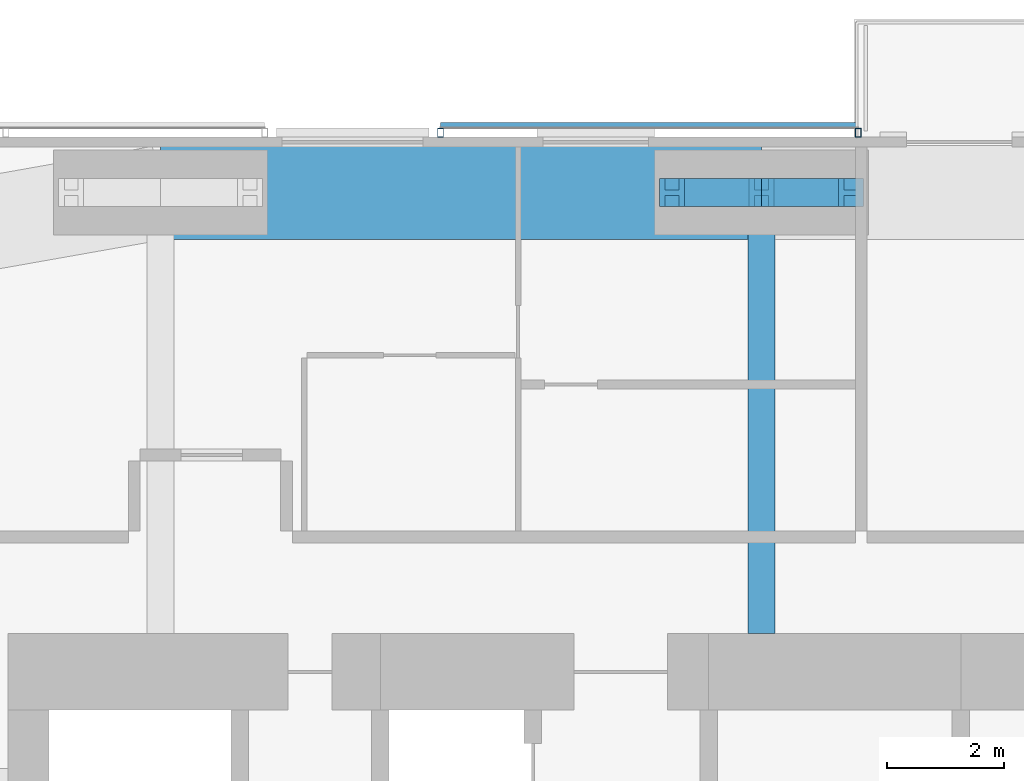
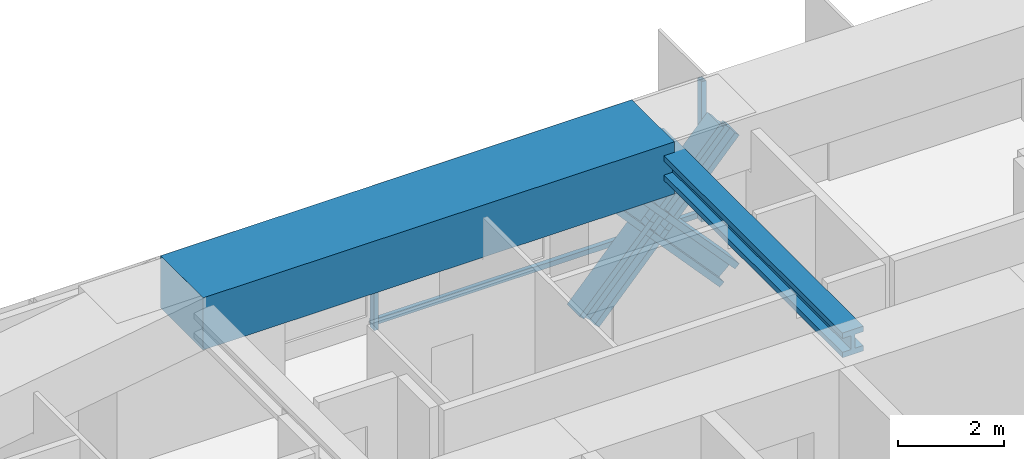
# One storey, part 11 of 22: 7 members, 2 beams, 1 element without a shape of its own.
"""IFC4 building model written with IfcOpenShell, lengths in metres."""

from ifc_helpers import new_model, si_unit, direction, frame, origin, origin_2d, place, context, subcontext, project, spatial, rectangle, hollow_rectangle, i_section, extrude, material, material_profile, profile_set, type_object, element, aggregate, save


model = new_model("IFC4")

# Units and contexts
model_context = context("Model", 3, precision=1e-05, world=origin(), true_north=direction((0.0, 1.0)))
body_context = subcontext(model_context, "Body", "Model", "MODEL_VIEW")
ifc_project = project(units=[si_unit("LENGTHUNIT", "METRE"), si_unit("AREAUNIT", "SQUARE_METRE"), si_unit("VOLUMEUNIT", "CUBIC_METRE"), si_unit("PLANEANGLEUNIT", "RADIAN"), si_unit("MASSUNIT", "GRAM", prefix="KILO")], contexts=[model_context])

# Site, building, storey
site_placement = place(None, origin())
site = spatial("IfcSite", under=ifc_project, at=site_placement, CompositionType="ELEMENT")
building_placement = place(site_placement, origin())
building = spatial("IfcBuilding", under=site, at=building_placement, Name="Jalousie Tower", CompositionType="ELEMENT")
storey_placement = place(building_placement, frame((0.0, 0.0, 201.25)))
storey = spatial("IfcBuildingStorey", under=building, at=storey_placement, Name="L55", CompositionType="ELEMENT", Elevation=201.25)

# Beam
ifc_material_1 = material(Name="Steel ASTM A992 Grade 50", Category="steel")
ifc_material_profile_1 = material_profile(ifc_material_1, i_section(OverallWidth=0.45458984375, OverallDepth=0.569091796875, WebThickness=0.077880859375, FlangeThickness=0.124755859375, at=origin_2d()), Name="W14X730")
ifc_profile_set_1 = profile_set([ifc_material_profile_1], Name="Steel ASTM A992 Grade 50")
beam_type_1 = type_object("IfcBeamType", Name="LEAN COLLECTOR W14X730", PredefinedType="BEAM", material=ifc_profile_set_1)
beam_1_placement = place(storey_placement, frame((32.5, 35.050048828125, 2.825439453125), z_axis=(0.0, -1.0, 0.0), x_axis=(1.0, 0.0, 0.0)))
element("IfcBeam", 1, at=beam_1_placement, inside=storey, type_object=beam_type_1, Name="Lean collector under L56", PredefinedType="BEAM", context=body_context, shape_type="SweptSolid", body=[
    extrude(i_section(OverallWidth=0.45458984375, OverallDepth=0.569091796875, WebThickness=0.077880859375, FlangeThickness=0.124755859375, at=origin_2d()), origin(), (0.0, 0.0, 1.0), 7.525146484375),
])

# Members
ifc_material_2 = material(Name="Steel ASTM A992 Grade 50", Category="steel")
ifc_material_profile_2 = material_profile(ifc_material_2, i_section(OverallWidth=0.472412109375, OverallDepth=0.5791015625, WebThickness=0.094970703125, FlangeThickness=0.1298828125, at=origin_2d()), Name="W14X808")
ifc_profile_set_2 = profile_set([ifc_material_profile_2], Name="Steel ASTM A992 Grade 50")
member_type_1 = type_object("IfcMemberType", Name="PERIMETER BRACE W14X808", PredefinedType="BRACE", material=ifc_profile_set_2)
for number, where, z_axis, x_axis, name in (
    (2, (30.97509765625, 35.050048828125, -0.60009765625), (0.673187629365, 0.0, 0.739471713908), (0.0, 1.0, 0.0), "Perimeter brace 10 L55 part 1"),
    (3, (32.5, 35.050048828125, 1.074951171875), (0.673187629365, 0.0, 0.739471713908), (0.0, 1.0, 0.0), "Perimeter brace 10 L55 part 2"),
    (4, (34.02490234375, 35.050048828125, -0.60009765625), (-0.673187629365, 0.0, 0.739471713908), (0.0, -1.0, 0.0), "Perimeter brace 10 L55 part 3"),
    (5, (32.5, 35.050048828125, 1.074951171875), (-0.673187629365, 0.0, 0.739471713908), (0.0, -1.0, 0.0), "Perimeter brace 10 L55 part 4"),
):
    element("IfcMember", number, at=place(storey_placement, frame(where, z_axis=z_axis, x_axis=x_axis)), inside=storey, type_object=member_type_1, Name=name, PredefinedType="BRACE", context=body_context, shape_type="SweptSolid", body=[
        extrude(i_section(OverallWidth=0.472412109375, OverallDepth=0.5791015625, WebThickness=0.094970703125, FlangeThickness=0.1298828125, at=origin_2d()), origin(), (0.0, 0.0, 1.0), 2.26513671875),
    ])

# Beam
ifc_material_3 = material(Name="Concrete f'c 40 MPa", Category="concrete")
ifc_material_profile_3 = material_profile(ifc_material_3, rectangle(XDim=1.60009765625, YDim=1.199951171875, at=origin_2d()), Name="RC 1600x1200")
ifc_profile_set_3 = profile_set([ifc_material_profile_3], Name="Concrete f'c 40 MPa")
beam_type_2 = type_object("IfcBeamType", Name="RC BEAM 1600x1200", PredefinedType="BEAM", material=ifc_profile_set_3)
beam_2_placement = place(storey_placement, frame((32.5, 35.050048828125, 2.75), z_axis=(-1.0, 0.0, 0.0), x_axis=(0.0, -1.0, 0.0)))
element("IfcBeam", 6, at=beam_2_placement, inside=storey, type_object=beam_type_2, Name="Edge band beam 10-11 under L56", PredefinedType="BEAM", context=body_context, shape_type="SweptSolid", body=[
    extrude(rectangle(XDim=1.60009765625, YDim=1.199951171875, at=origin_2d()), origin(), (0.0, 0.0, 1.0), 10.25),
])

# Curtain wall, members
ifc_material_4 = material(Name="Perforated aluminium sheet", Category="aluminium")
curtain_wall_type = type_object("IfcCurtainWallType", Name="SOLAR SCREEN SS-1", PredefinedType="USERDEFINED", material=ifc_material_4)
curtain_wall_placement = place(storey_placement, origin())
curtain_wall = element("IfcCurtainWall", 7, at=curtain_wall_placement, inside=storey, type_object=curtain_wall_type, Name="Solar screen L55", ObjectType="SOLAR SCREEN SS-1", PredefinedType="USERDEFINED")
ifc_material_5 = material(Name="Steel ASTM A500 Grade C", Category="steel")
ifc_material_profile_4 = material_profile(ifc_material_5, hollow_rectangle(XDim=0.1015625, YDim=0.15234375, WallThickness=0.00634765625, at=origin_2d()), Name="HSS6X4X1/4")
ifc_profile_set_4 = profile_set([ifc_material_profile_4], Name="Steel ASTM A500 Grade C")
member_type_2 = type_object("IfcMemberType", Name="SOLAR SCREEN SS-1 MULLION", PredefinedType="MULLION", material=ifc_profile_set_4)
member_1_placement = place(storey_placement, frame((34.14990234375, 36.0712890625, -0.1201171875), z_axis=(0.0, 0.0, 1.0), x_axis=(-1.0, 0.0, 0.0)))
member_1 = element("IfcMember", 8, at=member_1_placement, type_object=member_type_2, Name="SS1 post 1", PredefinedType="MULLION", context=body_context, shape_type="SweptSolid", body=[
    extrude(hollow_rectangle(XDim=0.1015625, YDim=0.15234375, WallThickness=0.00634765625, at=origin_2d()), origin(), (0.0, 0.0, 1.0), 3.230224609375),
])
member_2_placement = place(storey_placement, frame((27.02490234375, 36.0712890625, -0.1201171875), z_axis=(0.0, 0.0, 1.0), x_axis=(-1.0, 0.0, 0.0)))
member_2 = element("IfcMember", 9, at=member_2_placement, type_object=member_type_2, Name="SS1 post 2", PredefinedType="MULLION", context=body_context, shape_type="SweptSolid", body=[
    extrude(hollow_rectangle(XDim=0.1015625, YDim=0.15234375, WallThickness=0.00634765625, at=origin_2d()), origin(), (0.0, 0.0, 1.0), 3.230224609375),
])
ifc_material_6 = material(Name="Extruded aluminium screen rail", Category="aluminium")
ifc_material_profile_5 = material_profile(ifc_material_6, rectangle(XDim=0.1015625, YDim=0.1201171875, at=origin_2d()), Name="RAIL 102x120")
ifc_profile_set_5 = profile_set([ifc_material_profile_5], Name="Extruded aluminium screen rail")
member_type_3 = type_object("IfcMemberType", Name="SOLAR SCREEN SS-1 TRANSOM", PredefinedType="USERDEFINED", material=ifc_profile_set_5)
member_3_placement = place(storey_placement, frame((34.14990234375, 36.1982421875, -0.06005859375), z_axis=(-1.0, 0.0, 0.0), x_axis=(0.0, -1.0, 0.0)))
member_3 = element("IfcMember", 10, at=member_3_placement, type_object=member_type_3, Name="SS1 rail", ObjectType="TRANSOM", PredefinedType="USERDEFINED", context=body_context, shape_type="SweptSolid", body=[
    extrude(rectangle(XDim=0.1015625, YDim=0.1201171875, at=origin_2d()), origin(), (0.0, 0.0, 1.0), 7.125),
])
aggregate(curtain_wall, [member_1, member_2, member_3])

save(model, "model.ifc")
